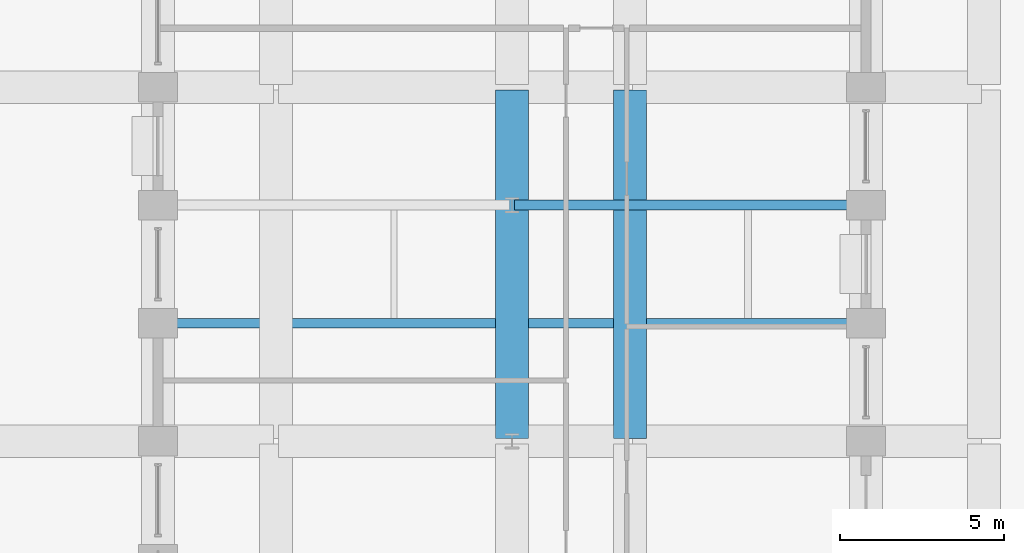
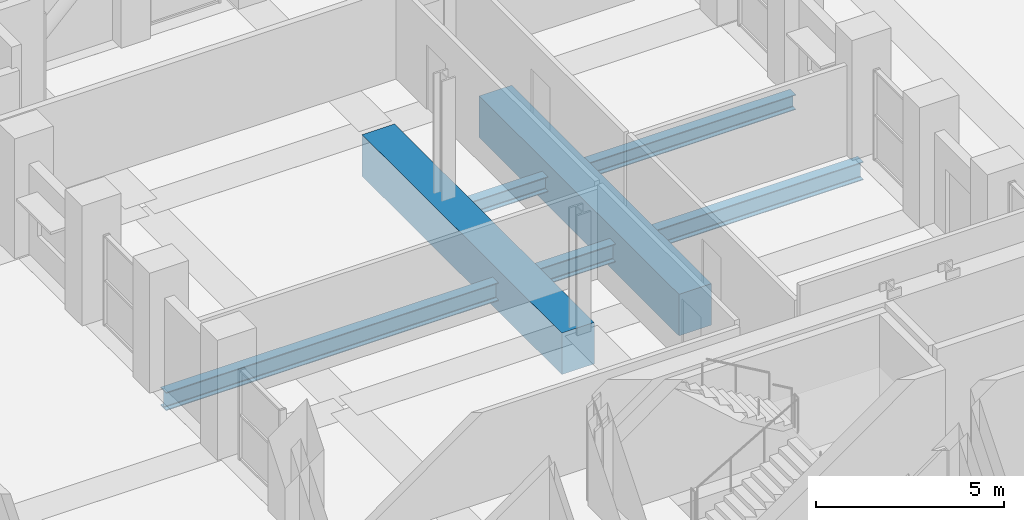
# One storey, part 24 of 39: 4 beams.
"""IFC4 building model written with IfcOpenShell, lengths in metres."""

from ifc_helpers import new_model, si_unit, direction, frame, origin, origin_2d, place, context, subcontext, project, spatial, rectangle, i_section, extrude, material, material_profile, profile_set, type_object, element, save


model = new_model("IFC4")

# Units and contexts
model_context = context("Model", 3, precision=1e-05, world=origin(), true_north=direction((0.0, 1.0)))
body_context = subcontext(model_context, "Body", "Model", "MODEL_VIEW")
ifc_project = project(units=[si_unit("LENGTHUNIT", "METRE"), si_unit("AREAUNIT", "SQUARE_METRE"), si_unit("VOLUMEUNIT", "CUBIC_METRE"), si_unit("PLANEANGLEUNIT", "RADIAN"), si_unit("MASSUNIT", "GRAM", prefix="KILO")], contexts=[model_context])

# Site, building, storey
site_placement = place(None, origin())
site = spatial("IfcSite", under=ifc_project, at=site_placement, CompositionType="ELEMENT")
building_placement = place(site_placement, origin())
building = spatial("IfcBuilding", under=site, at=building_placement, Name="Solnavia Interchange Tower", CompositionType="ELEMENT")
storey_placement = place(building_placement, frame((0.0, 0.0, 24.0)))
storey = spatial("IfcBuildingStorey", under=building, at=storey_placement, Name="L05", CompositionType="ELEMENT", Elevation=24.0)

# Beams
ifc_material_1 = material(Name="Steel S355", Category="steel")
ifc_material_profile_1 = material_profile(ifc_material_1, i_section(OverallWidth=0.300048828125, OverallDepth=0.489990234375, WebThickness=0.011962890625, FlangeThickness=0.02294921875, FilletRadius=0.027099609375, at=origin_2d()), Name="HEA 500")
ifc_profile_set_1 = profile_set([ifc_material_profile_1], Name="Steel S355")
beam_type_1 = type_object("IfcBeamType", Name="Beam-Primary-HEA500", PredefinedType="BEAM", material=ifc_profile_set_1)
beam_1_placement = place(storey_placement, frame((18.080078125, 39.60009765625, -0.64501953125), z_axis=(1.0, 0.0, 0.0), x_axis=(0.0, 1.0, 0.0)))
element("IfcBeam", 1, at=beam_1_placement, inside=storey, type_object=beam_type_1, Name="GRD-L05-NW07 North wing primary floor girder", PredefinedType="BEAM", context=body_context, shape_type="SweptSolid", body=[
    extrude(i_section(OverallWidth=0.300048828125, OverallDepth=0.489990234375, WebThickness=0.011962890625, FlangeThickness=0.02294921875, FilletRadius=0.027099609375, at=origin_2d()), origin(), (0.0, 0.0, 1.0), 10.639892578125),
])
ifc_material_profile_2 = material_profile(ifc_material_1, i_section(OverallWidth=0.300048828125, OverallDepth=0.590087890625, WebThickness=0.012939453125, FlangeThickness=0.02490234375, FilletRadius=0.027099609375, at=origin_2d()), Name="HEA 600")
ifc_profile_set_2 = profile_set([ifc_material_profile_2], Name="Steel S355")
beam_type_2 = type_object("IfcBeamType", Name="Beam-Primary-HEA600", PredefinedType="BEAM", material=ifc_profile_set_2)
beam_2_placement = place(storey_placement, frame((7.280029296875, 36.0, -0.695068359375), z_axis=(1.0, 0.0, 0.0), x_axis=(0.0, 1.0, 0.0)))
element("IfcBeam", 2, at=beam_2_placement, inside=storey, type_object=beam_type_2, Name="GRD-L05-NW05 North wing primary floor girder", PredefinedType="BEAM", context=body_context, shape_type="SweptSolid", body=[
    extrude(i_section(OverallWidth=0.300048828125, OverallDepth=0.590087890625, WebThickness=0.012939453125, FlangeThickness=0.02490234375, FilletRadius=0.027099609375, at=origin_2d()), origin(), (0.0, 0.0, 1.0), 21.43994140625),
])
ifc_material_2 = material(Name="Concrete C60/75", Category="concrete")
ifc_material_profile_3 = material_profile(ifc_material_2, rectangle(XDim=1.0, YDim=1.35009765625, at=origin_2d()), Name="RC 1000x1350")
ifc_profile_set_3 = profile_set([ifc_material_profile_3], Name="Concrete C60/75")
beam_type_3 = type_object("IfcBeamType", Name="Beam-Transfer-RC1000x1350", PredefinedType="BEAM", material=ifc_profile_set_3)
for number, where, z_axis, x_axis, name in (
    (3, (21.60009765625, 32.47998046875, -0.675048828125), (0.0, 1.0, 0.0), (-1.0, 0.0, 0.0), "TRB-L05-41 North-east N-S primary transfer girder"),
    (4, (18.0, 32.47998046875, -0.675048828125), (0.0, 1.0, 0.0), (-1.0, 0.0, 0.0), "TRB-L05-60 North spine transfer girder"),
):
    element("IfcBeam", number, at=place(storey_placement, frame(where, z_axis=z_axis, x_axis=x_axis)), inside=storey, type_object=beam_type_3, Name=name, PredefinedType="BEAM", context=body_context, shape_type="SweptSolid", body=[
        extrude(rectangle(XDim=1.0, YDim=1.35009765625, at=origin_2d()), origin(), (0.0, 0.0, 1.0), 10.64013671875),
    ])

save(model, "model.ifc")
